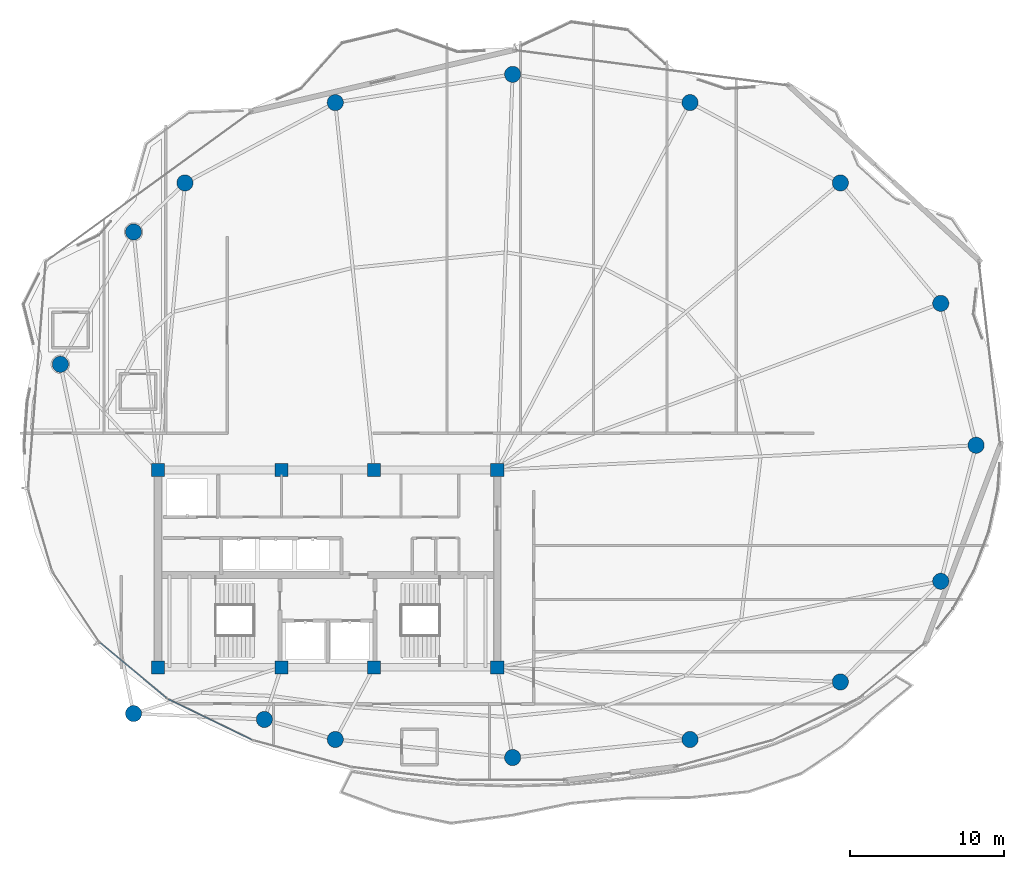
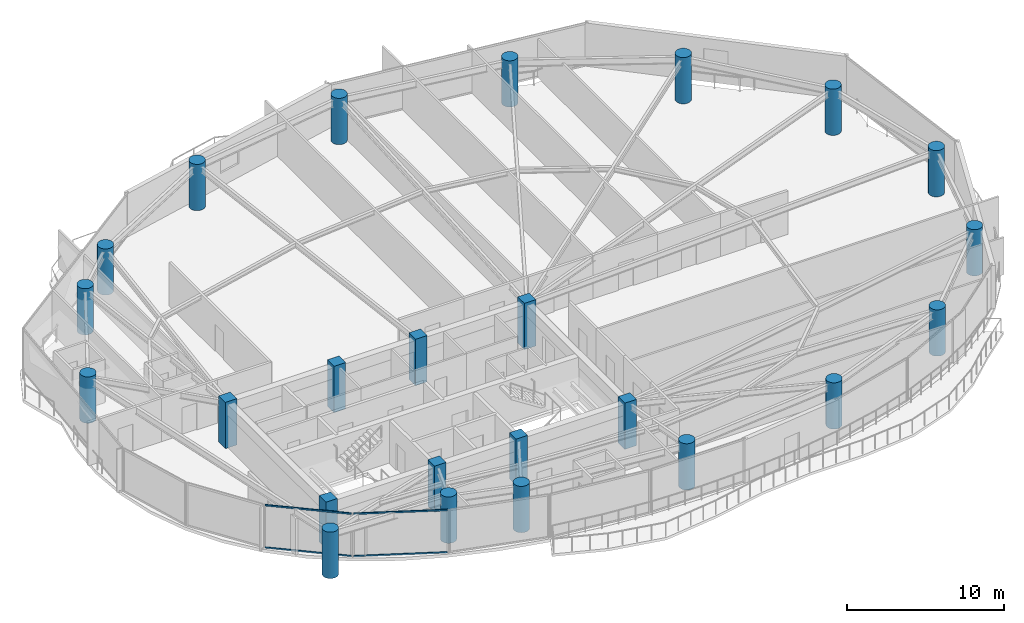
# One storey, part 1 of 31: 24 columns, 4 members, 2 elements without a shape of their own.
"""IFC4 building model written with IfcOpenShell, lengths in metres."""

from ifc_helpers import new_model, si_unit, direction, frame, origin, origin_2d, place, context, subcontext, project, spatial, rectangle, hollow_rectangle, circle, extrude, material, layer, layer_set, material_profile, profile_set, type_object, element, aggregate, save


model = new_model("IFC4")

# Units and contexts
model_context = context("Model", 3, precision=1e-05, world=origin(), true_north=direction((0.0, 1.0)))
body_context = subcontext(model_context, "Body", "Model", "MODEL_VIEW")
ifc_project = project(units=[si_unit("LENGTHUNIT", "METRE"), si_unit("AREAUNIT", "SQUARE_METRE"), si_unit("VOLUMEUNIT", "CUBIC_METRE"), si_unit("PLANEANGLEUNIT", "RADIAN"), si_unit("MASSUNIT", "GRAM", prefix="KILO")], contexts=[model_context])

# Site, building, storey
site_placement = place(None, origin())
site = spatial("IfcSite", under=ifc_project, at=site_placement, CompositionType="ELEMENT")
building_placement = place(site_placement, origin())
building = spatial("IfcBuilding", under=site, at=building_placement, Name="Kazevale Care Tower and Concert Hall", CompositionType="ELEMENT")
storey_placement = place(building_placement, frame((0.0, 0.0, 210.0)))
storey = spatial("IfcBuildingStorey", under=building, at=storey_placement, Name="L55", CompositionType="ELEMENT", Elevation=210.0)

# Columns
ifc_material_1 = material(Name="Concrete C50", Category="concrete")
ifc_material_profile_1 = material_profile(ifc_material_1, rectangle(XDim=0.85009765625, YDim=0.85009765625, at=origin_2d()), Name="RC-SQ850")
ifc_profile_set_1 = profile_set([ifc_material_profile_1], Name="Concrete C50")
column_type_1 = type_object("IfcColumnType", Name="Core Column SQ850 C50", PredefinedType="COLUMN", material=ifc_profile_set_1)
for number, where, z_axis, x_axis, name in (
    (1, (22.0, 23.60009765625, 0.0), (0.0, 0.0, 1.0), (1.0, 0.0, 0.0), "col:L55:CC-01"),
    (2, (30.0, 23.60009765625, 0.0), (0.0, 0.0, 1.0), (1.0, 0.0, 0.0), "col:L55:CC-02"),
    (3, (36.0, 23.60009765625, 0.0), (0.0, 0.0, 1.0), (1.0, 0.0, 0.0), "col:L55:CC-03"),
    (4, (44.0, 23.60009765625, 0.0), (0.0, 0.0, 1.0), (1.0, 0.0, 0.0), "col:L55:CC-04"),
    (5, (44.0, 36.39990234375, 0.0), (0.0, 0.0, 1.0), (1.0, 0.0, 0.0), "col:L55:CC-05"),
    (6, (36.0, 36.39990234375, 0.0), (0.0, 0.0, 1.0), (1.0, 0.0, 0.0), "col:L55:CC-06"),
    (7, (30.0, 36.39990234375, 0.0), (0.0, 0.0, 1.0), (1.0, 0.0, 0.0), "col:L55:CC-07"),
    (8, (22.0, 36.39990234375, 0.0), (0.0, 0.0, 1.0), (1.0, 0.0, 0.0), "col:L55:CC-08"),
):
    element("IfcColumn", number, at=place(storey_placement, frame(where, z_axis=z_axis, x_axis=x_axis)), inside=storey, type_object=column_type_1, Name=name, PredefinedType="COLUMN", context=body_context, shape_type="SweptSolid", body=[
        extrude(rectangle(XDim=0.85009765625, YDim=0.85009765625, at=origin_2d()), origin(), (0.0, 0.0, 1.0), 3.60009765625),
    ])
ifc_material_profile_2 = material_profile(ifc_material_1, circle(Radius=0.52490234375, at=origin_2d()), Name="RC-CIR1050")
ifc_profile_set_2 = profile_set([ifc_material_profile_2], Name="Concrete C50")
column_type_2 = type_object("IfcColumnType", Name="Perimeter Column CIR1050 C50", PredefinedType="COLUMN", material=ifc_profile_set_2)
for number, where, z_axis, x_axis, name in (
    (9, (75.050048828125, 38.0, 0.0), (0.0, 0.0, 1.0), (1.0, 0.0, 0.0), "col:L55:PC-01"),
    (10, (72.760009765625, 47.199951171875, 0.0), (0.0, 0.0, 1.0), (1.0, 0.0, 0.0), "col:L55:PC-02"),
    (11, (66.25, 55.010009765625, 0.0), (0.0, 0.0, 1.0), (1.0, 0.0, 0.0), "col:L55:PC-03"),
    (12, (56.5, 60.219970703125, 0.0), (0.0, 0.0, 1.0), (1.0, 0.0, 0.0), "col:L55:PC-04"),
    (13, (45.0, 62.050048828125, 0.0), (0.0, 0.0, 1.0), (1.0, 0.0, 0.0), "col:L55:PC-05"),
    (14, (33.5, 60.219970703125, 0.0), (0.0, 0.0, 1.0), (1.0, 0.0, 0.0), "col:L55:PC-06"),
    (15, (23.75, 55.010009765625, 0.0), (0.0, 0.0, 1.0), (1.0, 0.0, 0.0), "col:L55:PC-07"),
    (16, (20.419921875, 51.830078125, 0.0), (0.0, 0.0, 1.0), (1.0, 0.0, 0.0), "col:L55:PC-08"),
    (17, (15.669921875, 43.25, 0.0), (0.0, 0.0, 1.0), (1.0, 0.0, 0.0), "col:L55:PC-09"),
    (18, (20.419921875, 20.60009765625, 0.0), (0.0, 0.0, 1.0), (1.0, 0.0, 0.0), "col:L55:PC-10"),
    (19, (28.89990234375, 20.219970703125, 0.0), (0.0, 0.0, 1.0), (1.0, 0.0, 0.0), "col:L55:PC-11"),
    (20, (33.5, 18.919921875, 0.0), (0.0, 0.0, 1.0), (1.0, 0.0, 0.0), "col:L55:PC-12"),
    (21, (45.0, 17.75, 0.0), (0.0, 0.0, 1.0), (1.0, 0.0, 0.0), "col:L55:PC-13"),
    (22, (56.5, 18.919921875, 0.0), (0.0, 0.0, 1.0), (1.0, 0.0, 0.0), "col:L55:PC-14"),
    (23, (66.25, 22.64990234375, 0.0), (0.0, 0.0, 1.0), (1.0, 0.0, 0.0), "col:L55:PC-15"),
    (24, (72.760009765625, 29.179931640625, 0.0), (0.0, 0.0, 1.0), (1.0, 0.0, 0.0), "col:L55:PC-16"),
):
    element("IfcColumn", number, at=place(storey_placement, frame(where, z_axis=z_axis, x_axis=x_axis)), inside=storey, type_object=column_type_2, Name=name, PredefinedType="COLUMN", context=body_context, shape_type="SweptSolid", body=[
        extrude(circle(Radius=0.52490234375, at=origin_2d()), origin(), (0.0, 0.0, 1.0), 3.60009765625),
    ])

# Curtain wall, members
ifc_material_2 = material(Name="Aluminium 6063-T6 and Low-E Glass", Category="aluminium")
ifc_layer = layer(ifc_material_2, 0.179931640625)
ifc_layer_set = layer_set([ifc_layer], Name="Aluminium 6063-T6 and Low-E Glass")
curtain_wall_type = type_object("IfcCurtainWallType", Name="Sheltered Concave Balcony Curtain Wall CW-5", PredefinedType="NOTDEFINED", material=ifc_layer_set)
curtain_wall_1_placement = place(storey_placement, origin())
curtain_wall_1 = element("IfcCurtainWall", 25, at=curtain_wall_1_placement, inside=storey, type_object=curtain_wall_type, Name="cw:L55:f09", PredefinedType="NOTDEFINED")
ifc_material_3 = material(Name="Aluminium 6063-T6", Category="aluminium")
ifc_material_profile_3 = material_profile(ifc_material_3, hollow_rectangle(XDim=0.074951171875, YDim=0.1201171875, WallThickness=0.00390625, at=origin_2d()), Name="ALU75x120x4")
ifc_profile_set_3 = profile_set([ifc_material_profile_3], Name="Aluminium 6063-T6")
member_type = type_object("IfcMemberType", Name="CW-5 Transom ALU75x120x4", PredefinedType="USERDEFINED", material=ifc_profile_set_3)
member_1_placement = place(storey_placement, frame((28.07666015625, 18.90576171875, 0.03759765625), z_axis=(-0.899342308406, 0.437245254189, 0.0), x_axis=(-0.437245254189, -0.899342308406, 0.0)))
member_1 = element("IfcMember", 26, at=member_1_placement, type_object=member_type, Name="CW-5 transom 1.1", ObjectType="TRANSOM", PredefinedType="USERDEFINED", context=body_context, shape_type="SweptSolid", body=[
    extrude(hollow_rectangle(XDim=0.074951171875, YDim=0.1201171875, WallThickness=0.00390625, at=origin_2d()), origin(), (0.0, 0.0, 1.0), 6.00244140625),
])
member_2_placement = place(storey_placement, frame((28.07666015625, 18.90576171875, 3.322509765625), z_axis=(-0.899342308406, 0.437245254189, 0.0), x_axis=(-0.437245254189, -0.899342308406, 0.0)))
member_2 = element("IfcMember", 27, at=member_2_placement, type_object=member_type, Name="CW-5 transom 1.2", ObjectType="TRANSOM", PredefinedType="USERDEFINED", context=body_context, shape_type="SweptSolid", body=[
    extrude(hollow_rectangle(XDim=0.074951171875, YDim=0.1201171875, WallThickness=0.00390625, at=origin_2d()), origin(), (0.0, 0.0, 1.0), 6.00244140625),
])
aggregate(curtain_wall_1, [member_1, member_2])

curtain_wall_2_placement = place(storey_placement, origin())
curtain_wall_2 = element("IfcCurtainWall", 28, at=curtain_wall_2_placement, inside=storey, type_object=curtain_wall_type, Name="cw:L55:f10", PredefinedType="NOTDEFINED")
member_3_placement = place(storey_placement, frame((22.553466796875, 21.611083984375, 0.03759765625), z_axis=(-0.768432829708, 0.639930454211, 0.0), x_axis=(-0.639930454211, -0.768432829708, 0.0)))
member_3 = element("IfcMember", 29, at=member_3_placement, type_object=member_type, Name="CW-5 transom 1.1", ObjectType="TRANSOM", PredefinedType="USERDEFINED", context=body_context, shape_type="SweptSolid", body=[
    extrude(hollow_rectangle(XDim=0.074951171875, YDim=0.1201171875, WallThickness=0.00390625, at=origin_2d()), origin(), (0.0, 0.0, 1.0), 5.580078125),
])
member_4_placement = place(storey_placement, frame((22.553466796875, 21.611083984375, 3.322509765625), z_axis=(-0.768432829708, 0.639930454211, 0.0), x_axis=(-0.639930454211, -0.768432829708, 0.0)))
member_4 = element("IfcMember", 30, at=member_4_placement, type_object=member_type, Name="CW-5 transom 1.2", ObjectType="TRANSOM", PredefinedType="USERDEFINED", context=body_context, shape_type="SweptSolid", body=[
    extrude(hollow_rectangle(XDim=0.074951171875, YDim=0.1201171875, WallThickness=0.00390625, at=origin_2d()), origin(), (0.0, 0.0, 1.0), 5.580078125),
])
aggregate(curtain_wall_2, [member_3, member_4])

save(model, "model.ifc")
